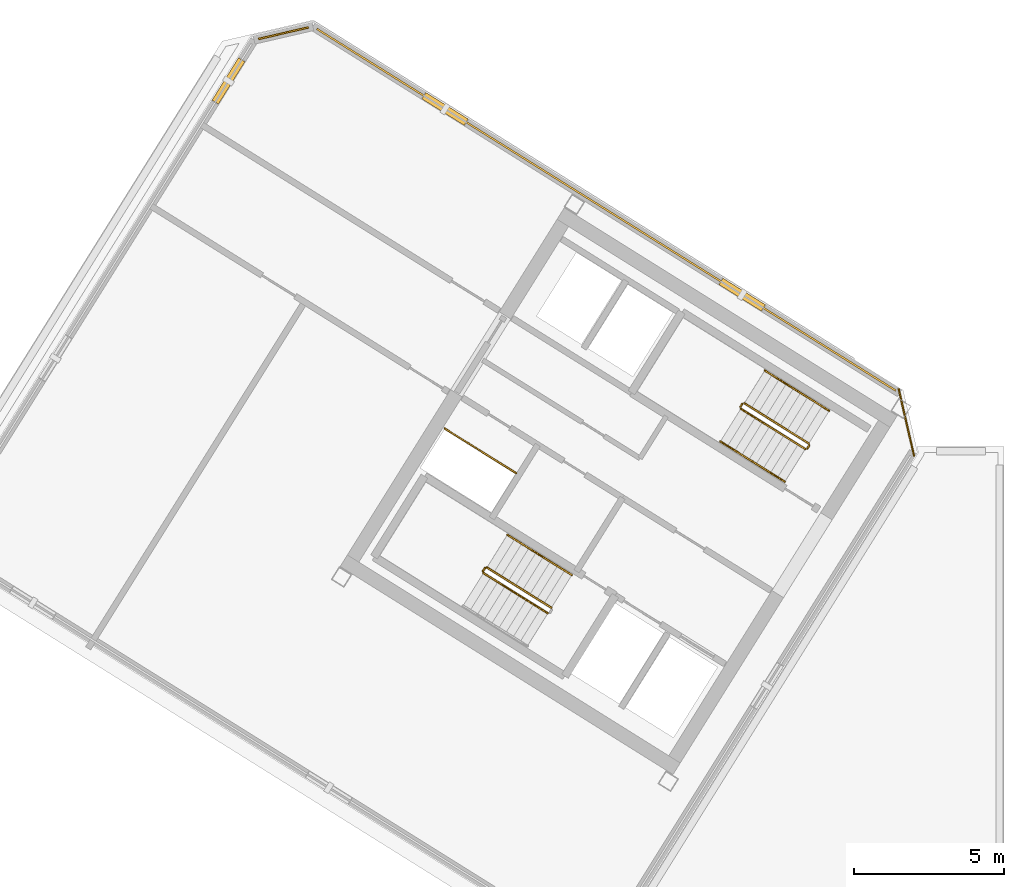
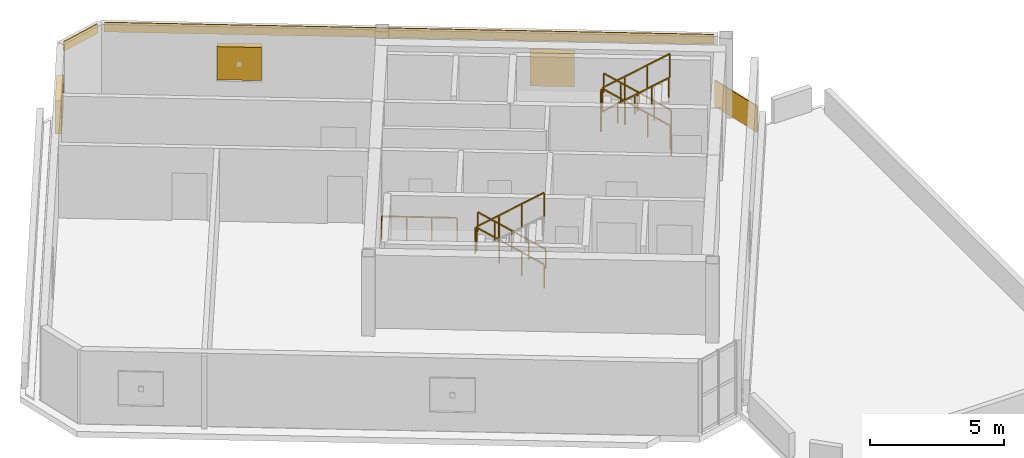
# One storey, part 8 of 8: 14 railings, 3 coverings, 3 shading devices.
"""IFC4 building model written with IfcOpenShell, lengths in metres."""

import ifcopenshell
import ifcopenshell.guid

model = None  # the IFC model being written
_history = None  # IfcOwnerHistory: only IFC2X3 demands one
_inside = {}  # id of a spatial element -> (the spatial element, [elements in it])
_under = {}  # id of a project, library or spatial element -> (it, [spatial elements below it])
_declared = {}  # id of a project -> (the project, [libraries it declares])
_typed = {}  # id of a type object -> (the type object, [elements of that type])
_made_of = {}  # id of a material, layer set ... -> (it, [elements and type objects made of it])


def new_model(schema):
    """Start an empty IFC model of exactly this schema.

    Asked for "IFC4X3", IfcOpenShell would pick the latest addendum, in which some entities
    have other attributes; the version numbers below select the first issue.
    IFC2X3 requires an IfcOwnerHistory on every rooted entity: one is made here for all.
    """
    global model, _history
    if schema == "IFC4X3":
        model = ifcopenshell.file(schema_version=(4, 3, 0, 0))
    else:
        model = ifcopenshell.file(schema=schema)
    _inside.clear()
    _under.clear()
    _declared.clear()
    _typed.clear()
    _made_of.clear()
    _history = None
    if model.schema == "IFC2X3":
        org = make("IfcOrganization", Name="unknown")
        user = make(
            "IfcPersonAndOrganization",
            ThePerson=make("IfcPerson", FamilyName="unknown"),
            TheOrganization=org,
        )
        app = make(
            "IfcApplication",
            ApplicationDeveloper=org,
            Version="unknown",
            ApplicationFullName="unknown",
            ApplicationIdentifier="unknown",
        )
        _history = make(
            "IfcOwnerHistory",
            OwningUser=user,
            OwningApplication=app,
            ChangeAction="ADDED",
            CreationDate=0,
        )
    return model


def make(cls, **values):
    """One entity of the class cls with the attributes given. An attribute that is None is left unset."""
    return model.create_entity(
        cls, **{name: value for name, value in values.items() if value is not None}
    )


def rooted(cls, **values):
    """An entity with a GlobalId (a new one), such as an element, a storey or a relation."""
    return make(cls, GlobalId=ifcopenshell.guid.new(), OwnerHistory=_history, **values)


def si_unit(unit_type, name, prefix=None):
    """IfcSIUnit, for example si_unit("LENGTHUNIT", "METRE", prefix="MILLI")."""
    return make("IfcSIUnit", UnitType=unit_type, Prefix=prefix, Name=name)


def assignment(units):
    """IfcUnitAssignment: the units of a project."""
    return None if units is None else make("IfcUnitAssignment", Units=units)


def point(xyz):
    """IfcCartesianPoint."""
    return None if xyz is None else make("IfcCartesianPoint", Coordinates=xyz)


def direction(xyz):
    """IfcDirection."""
    return None if xyz is None else make("IfcDirection", DirectionRatios=xyz)


def frame(location, z_axis=None, x_axis=None):
    """IfcAxis2Placement3D, a coordinate frame: its origin and axes. An axis left out is left unset."""
    return make(
        "IfcAxis2Placement3D",
        Location=point(location),
        Axis=direction(z_axis),
        RefDirection=direction(x_axis),
    )


def frame_2d(location, x_axis=None):
    """IfcAxis2Placement2D, a coordinate frame in the plane: its origin and x axis."""
    return make(
        "IfcAxis2Placement2D", Location=point(location), RefDirection=direction(x_axis)
    )


def origin():
    """The frame at (0, 0, 0) with its axes left unset."""
    return frame((0.0, 0.0, 0.0))


def origin_2d():
    """The frame at (0, 0) in the plane with its x axis left unset."""
    return frame_2d((0.0, 0.0))


def place(relative_to, where):
    """IfcLocalPlacement: puts the frame where relative to a parent placement (None: the world)."""
    return make(
        "IfcLocalPlacement", PlacementRelTo=relative_to, RelativePlacement=where
    )


def context(
    kind, dimensions, precision=None, world=None, true_north=None, identifier=None
):
    """IfcGeometricRepresentationContext, for example the 3D "Model" context."""
    return make(
        "IfcGeometricRepresentationContext",
        ContextIdentifier=identifier,
        ContextType=kind,
        CoordinateSpaceDimension=dimensions,
        Precision=precision,
        WorldCoordinateSystem=world,
        TrueNorth=true_north,
    )


def subcontext(parent, identifier, kind, view, scale=None):
    """IfcGeometricRepresentationSubContext, for example "Body" below "Model"."""
    return make(
        "IfcGeometricRepresentationSubContext",
        ContextIdentifier=identifier,
        ContextType=kind,
        ParentContext=parent,
        TargetScale=scale,
        TargetView=view,
    )


def project(units=None, contexts=None):
    """IfcProject with its units and contexts."""
    return rooted(
        "IfcProject",
        Name="project",
        RepresentationContexts=contexts,
        UnitsInContext=assignment(units),
    )


def spatial(cls, under=None, at=None, **own):
    """A site, building, storey or space (cls), placed at a placement, below another one or the project."""
    s = rooted(cls, ObjectPlacement=at, **own)
    if under is not None:
        _under.setdefault(under.id(), (under, []))[1].append(s)
    return s


def profile(cls, at=None, kind="AREA", **sizes):
    """A parametric profile (cls). Its sizes go by their IFC names, for example OverallWidth=200.0."""
    return make(cls, ProfileType=kind, Position=at, **sizes)


def rectangle(**sizes):
    """IfcRectangleProfileDef."""
    return profile("IfcRectangleProfileDef", **sizes)


def extrude(swept, where, along, depth):
    """IfcExtrudedAreaSolid: the profile swept, set in the frame where, extruded along a direction by depth."""
    return make(
        "IfcExtrudedAreaSolid",
        SweptArea=swept,
        Position=where,
        ExtrudedDirection=direction(along),
        Depth=depth,
    )


def shape(context_of_items, identifier, shape_type, items):
    """IfcShapeRepresentation: the items that make up one representation, for example the "Body"."""
    return make(
        "IfcShapeRepresentation",
        ContextOfItems=context_of_items,
        RepresentationIdentifier=identifier,
        RepresentationType=shape_type,
        Items=items,
    )


def source(mapping_origin, context_of_items, identifier, shape_type, items):
    """IfcRepresentationMap: a shape defined once, which mapped items show again and again."""
    return make(
        "IfcRepresentationMap",
        MappingOrigin=mapping_origin,
        MappedRepresentation=shape(context_of_items, identifier, shape_type, items),
    )


def transform(
    local_origin,
    x_axis=None,
    y_axis=None,
    z_axis=None,
    scale=None,
    scale2=None,
    scale3=None,
    uniform=True,
):
    """IfcCartesianTransformationOperator3D, or its non-uniform kind. x_axis, y_axis, z_axis: its Axis1, 2, 3."""
    if uniform:
        return make(
            "IfcCartesianTransformationOperator3D",
            Axis1=direction(x_axis),
            Axis2=direction(y_axis),
            LocalOrigin=point(local_origin),
            Scale=scale,
            Axis3=direction(z_axis),
        )
    return make(
        "IfcCartesianTransformationOperator3DnonUniform",
        Axis1=direction(x_axis),
        Axis2=direction(y_axis),
        LocalOrigin=point(local_origin),
        Scale=scale,
        Axis3=direction(z_axis),
        Scale2=scale2,
        Scale3=scale3,
    )


def mapped(mapping_source, mapping_target):
    """IfcMappedItem: shows the shape of a source again, moved by a transform."""
    return make(
        "IfcMappedItem", MappingSource=mapping_source, MappingTarget=mapping_target
    )


def material(Name=None, Category=None):
    """IfcMaterial."""
    return make("IfcMaterial", Name=Name, Category=Category)


def layer(
    of_material, thickness, ventilated=None, Name=None, Category=None, Priority=None
):
    """IfcMaterialLayer: one layer of a wall or slab, of a material (None: an air gap)."""
    return make(
        "IfcMaterialLayer",
        Material=of_material,
        LayerThickness=thickness,
        IsVentilated=ventilated,
        Name=Name,
        Category=Category,
        Priority=Priority,
    )


def layer_set(layers, Name=None):
    """IfcMaterialLayerSet."""
    return make("IfcMaterialLayerSet", MaterialLayers=layers, LayerSetName=Name)


def made_of(thing, what):
    """Note that an element or type object is made of a material, layer set ...; save() writes the relation."""
    if what is not None:
        _made_of.setdefault(what.id(), (what, []))[1].append(thing)
    return thing


def type_object(cls, material=None, **own):
    """A type object (cls), such as IfcWallType, which elements share."""
    return made_of(rooted(cls, **own), material)


def element(
    cls,
    number,
    at=None,
    inside=None,
    cuts=None,
    type_object=None,
    material=None,
    context=None,
    identifier="Body",
    shape_type=None,
    held_by="IfcProductDefinitionShape",
    body=None,
    shapes=None,
    **own,
):
    """One element of the class cls, such as IfcWall. Its Tag is "e" and its number.

    at: its placement. inside: the storey or other place that contains it. cuts: it is an
    opening in that element (IfcRelVoidsElement). A single representation is given by context,
    identifier, shape_type and body (its items); several are given by shapes. held_by: the class
    of the entity that holds the representations. save() writes the other relations.
    """
    e = rooted(cls, Tag="e%d" % number, ObjectPlacement=at, **own)
    if body is not None:
        shapes = [shape(context, identifier, shape_type, body)]
    if shapes is not None:
        e.Representation = make(held_by, Representations=shapes)
    if inside is not None:
        _inside.setdefault(inside.id(), (inside, []))[1].append(e)
    if cuts is not None:
        rooted(
            "IfcRelVoidsElement", RelatingBuildingElement=cuts, RelatedOpeningElement=e
        )
    if type_object is not None:
        _typed.setdefault(type_object.id(), (type_object, []))[1].append(e)
    return made_of(e, material)


def aggregate(whole, parts):
    """IfcRelAggregates: a whole, such as a stair, and the parts it consists of."""
    return rooted("IfcRelAggregates", RelatingObject=whole, RelatedObjects=parts)


def save(model, path):
    """Write the relations noted so far, then the file.

    IfcRelAggregates (storeys below a building ...), IfcRelContainedInSpatialStructure (elements
    in a storey), IfcRelDefinesByType, IfcRelAssociatesMaterial and IfcRelDeclares: one each for
    every whole, place, type object, material and project.
    """
    for whole, parts in _under.values():
        aggregate(whole, parts)
    for where, things in _inside.values():
        rooted(
            "IfcRelContainedInSpatialStructure",
            RelatedElements=things,
            RelatingStructure=where,
        )
    for kind, things in _typed.values():
        rooted("IfcRelDefinesByType", RelatedObjects=things, RelatingType=kind)
    for what, things in _made_of.values():
        rooted("IfcRelAssociatesMaterial", RelatedObjects=things, RelatingMaterial=what)
    for by, libraries in _declared.values():
        rooted("IfcRelDeclares", RelatingContext=by, RelatedDefinitions=libraries)
    model.write(path)


model = new_model("IFC4")

# Units and contexts
model_context = context("Model", 3, precision=1e-05, world=origin(), true_north=direction((0.0, 1.0)))
body_context = subcontext(model_context, "Body", "Model", "MODEL_VIEW")
ifc_project = project(units=[si_unit("LENGTHUNIT", "METRE"), si_unit("AREAUNIT", "SQUARE_METRE"), si_unit("VOLUMEUNIT", "CUBIC_METRE"), si_unit("PLANEANGLEUNIT", "RADIAN"), si_unit("MASSUNIT", "GRAM", prefix="KILO")], contexts=[model_context])

# Site, building, storey
site_placement = place(None, origin())
site = spatial("IfcSite", under=ifc_project, at=site_placement, CompositionType="ELEMENT")
building_placement = place(site_placement, origin())
building = spatial("IfcBuilding", under=site, at=building_placement, Name="Tlacorven Tower", CompositionType="ELEMENT")
storey_placement = place(building_placement, frame((0.0, 0.0, 298.800048828125)))
storey = spatial("IfcBuildingStorey", under=building, at=storey_placement, Name="L76", CompositionType="ELEMENT", Elevation=298.800048828125)

# Railing
ifc_material_1 = material(Name="Aluminium and painted steel balustrade", Category="steel")
railing_type_1 = type_object("IfcRailingType", Name="RL-GRD-1100", PredefinedType="GUARDRAIL", material=ifc_material_1)
shared_shape_1 = source(origin(), body_context, "Body", "SweptSolid", [
    extrude(rectangle(XDim=0.048095703125, YDim=0.048095703125, at=origin_2d()), frame((0.0, 0.0, 1.076171875), z_axis=(-0.848091358275, 0.529850024081, 0.0), x_axis=(-0.529850024081, -0.848091358275, 0.0)), (0.0, 0.0, 1.0), 2.800048828125),
    extrude(rectangle(XDim=0.0419921875, YDim=0.0419921875, at=origin_2d()), origin(), (0.0, 0.0, 1.0), 1.052001953125),
    extrude(rectangle(XDim=0.0419921875, YDim=0.0419921875, at=origin_2d()), frame((-0.79150390625, 0.49462890625, 0.0)), (0.0, 0.0, 1.0), 1.052001953125),
    extrude(rectangle(XDim=0.0419921875, YDim=0.0419921875, at=origin_2d()), frame((-1.583251953125, 0.989013671875, 0.0)), (0.0, 0.0, 1.0), 1.052001953125),
    extrude(rectangle(XDim=0.0419921875, YDim=0.0419921875, at=origin_2d()), frame((-2.374755859375, 1.483642578125, 0.0)), (0.0, 0.0, 1.0), 1.052001953125),
])
railing_1_placement = place(storey_placement, frame((27.9912109375, 22.32080078125, 0.0)))
element("IfcRailing", 1, at=railing_1_placement, inside=storey, type_object=railing_type_1, Name="L76 Electrical Riser W Shaft Guard 1", PredefinedType="GUARDRAIL", context=body_context, shape_type="MappedRepresentation", body=[
    mapped(shared_shape_1, transform((0.0, 0.0, 0.0), scale=1.0)),
])

# Shading devices
ifc_material_2 = material(Name="Anodised bronze aluminium acoustic louvre", Category="aluminium")
shading_device_type = type_object("IfcShadingDeviceType", Name="SH-LVR-WND", PredefinedType="JALOUSIE", material=ifc_material_2)
shared_shape_2 = source(origin(), body_context, "Body", "SweptSolid", [
    extrude(rectangle(XDim=1.659912109375, YDim=0.25, at=origin_2d()), origin(), (0.0, 0.0, 1.0), 1.5),
])
for number, where, z_axis, x_axis, name in (
    (2, (18.43408203125, 35.35107421875, 0.89990234375), (0.0, 0.0, 1.0), (0.5299191837, 0.848048146479, 0.0), "L76 Storm-Resistant Acoustic Louvre Bank 4.2"),
    (3, (25.62841796875, 34.42138671875, 0.89990234375), (0.0, 0.0, 1.0), (0.848048181088, -0.529919128313, 0.0), "L76 Storm-Resistant Acoustic Louvre Bank 6.1"),
    (4, (35.50146484375, 28.252197265625, 0.89990234375), (0.0, 0.0, 1.0), (0.848048181088, -0.529919128313, 0.0), "L76 Storm-Resistant Acoustic Louvre Bank 6.2"),
):
    element("IfcShadingDevice", number, at=place(storey_placement, frame(where, z_axis=z_axis, x_axis=x_axis)), inside=storey, type_object=shading_device_type, Name=name, PredefinedType="JALOUSIE", context=body_context, shape_type="MappedRepresentation", body=[
        mapped(shared_shape_2, transform((0.0, 0.0, 0.0), scale=1.0)),
    ])

# Coverings
ifc_material_3 = material(Name="Precast concrete C45/55", Category="concrete")
ifc_layer = layer(ifc_material_3, 0.06005859375)
ifc_layer_set = layer_set([ifc_layer], Name="Precast concrete C45/55")
covering_type = type_object("IfcCoveringType", Name="CV-CLD-TERC", PredefinedType="CLADDING", material=ifc_layer_set)
shared_shape_3 = source(origin(), body_context, "Body", "SweptSolid", [
    extrude(rectangle(XDim=2.305419921875, YDim=0.050048828125, at=origin_2d()), origin(), (0.0, 0.0, 1.0), 1.199951171875),
])
covering_1_placement = place(storey_placement, frame((40.9560546875, 24.007568359375, -0.02001953125), z_axis=(0.0, 0.0, 1.0), x_axis=(0.22494970827, -0.97437037555, 0.0)))
element("IfcCovering", 5, at=covering_1_placement, inside=storey, type_object=covering_type, Name="L76 Crown Chamfer Spandrel Closure 1", PredefinedType="CLADDING", context=body_context, shape_type="MappedRepresentation", body=[
    mapped(shared_shape_3, transform((0.0, 0.0, 0.0), scale=1.0)),
])
shared_shape_4 = source(origin(), body_context, "Body", "SweptSolid", [
    extrude(rectangle(XDim=22.68408203125, YDim=0.06005859375, at=origin_2d()), origin(), (0.0, 0.0, 1.0), 0.419921875),
])
covering_2_placement = place(storey_placement, frame((30.98486328125, 31.074462890625, 2.89990234375), z_axis=(0.0, 0.0, 1.0), x_axis=(0.848048181088, -0.529919128313, 0.0)))
element("IfcCovering", 6, at=covering_2_placement, inside=storey, type_object=covering_type, Name="L76 Masonry-Frame Spandrel Cladding 6", PredefinedType="CLADDING", context=body_context, shape_type="MappedRepresentation", body=[
    mapped(shared_shape_4, transform((0.0, 0.0, 0.0), scale=1.0)),
])
shared_shape_5 = source(origin(), body_context, "Body", "SweptSolid", [
    extrude(rectangle(XDim=1.705322265625, YDim=0.06005859375, at=origin_2d()), origin(), (0.0, 0.0, 1.0), 0.419921875),
])
covering_3_placement = place(storey_placement, frame((20.261962890625, 36.938720703125, 2.89990234375), z_axis=(0.0, 0.0, 1.0), x_axis=(0.97437037555, 0.22494970827, 0.0)))
element("IfcCovering", 7, at=covering_3_placement, inside=storey, type_object=covering_type, Name="L76 Masonry-Frame Spandrel Cladding 5", PredefinedType="CLADDING", context=body_context, shape_type="MappedRepresentation", body=[
    mapped(shared_shape_5, transform((0.0, 0.0, 0.0), scale=1.0)),
])

# Railings
shared_shape_6 = source(origin(), body_context, "Body", "SweptSolid", [
    extrude(rectangle(XDim=0.048095703125, YDim=0.048095703125, at=origin_2d()), frame((0.0, 0.0, 1.076171875), z_axis=(-0.713319727316, 0.445773895627, 0.540796265334), x_axis=(-0.529955395941, -0.84802551749, 0.0)), (0.0, 0.0, 1.0), 2.995849609375),
    extrude(rectangle(XDim=0.0419921875, YDim=0.0419921875, at=origin_2d()), origin(), (0.0, 0.0, 1.0), 1.052001953125),
    extrude(rectangle(XDim=0.0419921875, YDim=0.0419921875, at=origin_2d()), frame((-0.71240234375, 0.445068359375, 0.5400390625)), (0.0, 0.0, 1.0), 1.052001953125),
    extrude(rectangle(XDim=0.0419921875, YDim=0.0419921875, at=origin_2d()), frame((-1.424560546875, 0.890380859375, 1.080078125)), (0.0, 0.0, 1.0), 1.052001953125),
    extrude(rectangle(XDim=0.0419921875, YDim=0.0419921875, at=origin_2d()), frame((-2.136962890625, 1.33544921875, 1.6201171875)), (0.0, 0.0, 1.0), 1.052001953125),
])
for number, where, name in (
    (8, (29.16064453125, 17.851806640625, 0.179931640625), "L76 ST-W1 stair guard 1"),
    (9, (37.712158203125, 23.3095703125, 0.179931640625), "L76 ST-W2 stair guard 1"),
):
    element("IfcRailing", number, at=place(storey_placement, frame(where)), inside=storey, type_object=railing_type_1, Name=name, PredefinedType="GUARDRAIL", context=body_context, shape_type="MappedRepresentation", body=[
        mapped(shared_shape_6, transform((0.0, 0.0, 0.0), scale=1.0)),
    ])
shared_shape_7 = source(origin(), body_context, "Body", "SweptSolid", [
    extrude(rectangle(XDim=0.048095703125, YDim=0.048095703125, at=origin_2d()), frame((0.0, 0.0, 1.076171875), z_axis=(-0.530546985787, -0.847655529016, 0.0), x_axis=(0.847655529016, -0.530546985787, 0.0)), (0.0, 0.0, 1.0), 0.1201171875),
    extrude(rectangle(XDim=0.0419921875, YDim=0.0419921875, at=origin_2d()), origin(), (0.0, 0.0, 1.0), 1.052001953125),
    extrude(rectangle(XDim=0.0419921875, YDim=0.0419921875, at=origin_2d()), frame((-0.063720703125, -0.101806640625, 0.0)), (0.0, 0.0, 1.0), 1.052001953125),
])
for number, where, name in (
    (10, (26.954833984375, 19.17138671875, 1.800048828125), "L76 ST-W1 stair guard 2"),
    (11, (37.728271484375, 23.24072265625, 0.0), "L76 ST-W2 stair guard 4"),
):
    element("IfcRailing", number, at=place(storey_placement, frame(where)), inside=storey, type_object=railing_type_1, Name=name, PredefinedType="GUARDRAIL", context=body_context, shape_type="MappedRepresentation", body=[
        mapped(shared_shape_7, transform((0.0, 0.0, 0.0), scale=1.0)),
    ])
railing_type_2 = type_object("IfcRailingType", Name="RL-HND-0900", PredefinedType="HANDRAIL", material=ifc_material_1)
shared_shape_8 = source(origin(), body_context, "Body", "SweptSolid", [
    extrude(rectangle(XDim=0.048095703125, YDim=0.048095703125, at=origin_2d()), frame((0.0, 0.0, 0.8759765625), z_axis=(-0.713359751793, 0.4457479829, 0.540764828981), x_axis=(-0.529911857636, -0.848052724267, 0.0)), (0.0, 0.0, 1.0), 1.498046875),
    extrude(rectangle(XDim=0.0419921875, YDim=0.0419921875, at=origin_2d()), origin(), (0.0, 0.0, 1.0), 0.851806640625),
    extrude(rectangle(XDim=0.0419921875, YDim=0.0419921875, at=origin_2d()), frame((-0.5341796875, 0.333984375, 0.405029296875)), (0.0, 0.0, 1.0), 0.851806640625),
    extrude(rectangle(XDim=0.0419921875, YDim=0.0419921875, at=origin_2d()), frame((-1.068603515625, 0.667724609375, 0.81005859375)), (0.0, 0.0, 1.0), 0.851806640625),
])
for number, where, name in (
    (12, (29.839111328125, 18.937255859375, 0.179931640625), "L76 ST-W1 stair handrail 1"),
    (13, (28.7705078125, 19.60498046875, 0.989990234375), "L76 ST-W1 stair handrail 2"),
    (14, (38.390625, 24.39501953125, 0.179931640625), "L76 ST-W2 stair handrail 1"),
    (15, (37.322021484375, 25.062744140625, 0.989990234375), "L76 ST-W2 stair handrail 2"),
):
    element("IfcRailing", number, at=place(storey_placement, frame(where)), inside=storey, type_object=railing_type_2, Name=name, PredefinedType="HANDRAIL", context=body_context, shape_type="MappedRepresentation", body=[
        mapped(shared_shape_8, transform((0.0, 0.0, 0.0), scale=1.0)),
    ])
shared_shape_9 = source(origin(), body_context, "Body", "SweptSolid", [
    extrude(rectangle(XDim=0.048095703125, YDim=0.048095703125, at=origin_2d()), frame((0.0, 0.0, 0.8759765625), z_axis=(0.713359751793, -0.4457479829, 0.540764828981), x_axis=(0.529911857636, 0.848052724267, 0.0)), (0.0, 0.0, 1.0), 1.498046875),
    extrude(rectangle(XDim=0.0419921875, YDim=0.0419921875, at=origin_2d()), origin(), (0.0, 0.0, 1.0), 0.851806640625),
    extrude(rectangle(XDim=0.0419921875, YDim=0.0419921875, at=origin_2d()), frame((0.5341796875, -0.333984375, 0.405029296875)), (0.0, 0.0, 1.0), 0.851806640625),
    extrude(rectangle(XDim=0.0419921875, YDim=0.0419921875, at=origin_2d()), frame((1.068603515625, -0.667724609375, 0.81005859375)), (0.0, 0.0, 1.0), 0.851806640625),
])
railing_2_placement = place(storey_placement, frame((34.7802734375, 23.372802734375, 1.97998046875)))
element("IfcRailing", 16, at=railing_2_placement, inside=storey, type_object=railing_type_2, Name="L76 ST-W2 stair handrail 3", PredefinedType="HANDRAIL", context=body_context, shape_type="MappedRepresentation", body=[
    mapped(shared_shape_9, transform((0.0, 0.0, 0.0), scale=1.0)),
])
shared_shape_10 = source(origin(), body_context, "Body", "SweptSolid", [
    extrude(rectangle(XDim=0.048095703125, YDim=0.048095703125, at=origin_2d()), frame((0.0, 0.0, 1.076171875), z_axis=(0.71339118691, -0.44576762536, 0.540707165313), x_axis=(0.529911857636, 0.848052724267, 0.0)), (0.0, 0.0, 1.0), 2.995849609375),
    extrude(rectangle(XDim=0.0419921875, YDim=0.0419921875, at=origin_2d()), origin(), (0.0, 0.0, 1.0), 1.052001953125),
    extrude(rectangle(XDim=0.0419921875, YDim=0.0419921875, at=origin_2d()), frame((0.71240234375, -0.445068359375, 0.5400390625)), (0.0, 0.0, 1.0), 1.052001953125),
    extrude(rectangle(XDim=0.0419921875, YDim=0.0419921875, at=origin_2d()), frame((1.4248046875, -0.890380859375, 1.079833984375)), (0.0, 0.0, 1.0), 1.052001953125),
    extrude(rectangle(XDim=0.0419921875, YDim=0.0419921875, at=origin_2d()), frame((2.13720703125, -1.33544921875, 1.619873046875)), (0.0, 0.0, 1.0), 1.052001953125),
])
railing_3_placement = place(storey_placement, frame((26.906982421875, 19.000732421875, 1.97998046875)))
element("IfcRailing", 17, at=railing_3_placement, inside=storey, type_object=railing_type_1, Name="L76 ST-W1 stair guard 3", PredefinedType="GUARDRAIL", context=body_context, shape_type="MappedRepresentation", body=[
    mapped(shared_shape_10, transform((0.0, 0.0, 0.0), scale=1.0)),
])
shared_shape_11 = source(origin(), body_context, "Body", "SweptSolid", [
    extrude(rectangle(XDim=0.048095703125, YDim=0.048095703125, at=origin_2d()), frame((0.0, 0.0, 0.8759765625), z_axis=(0.713422621445, -0.445787267455, 0.540649494022), x_axis=(0.529911857636, 0.848052724267, 0.0)), (0.0, 0.0, 1.0), 1.497802734375),
    extrude(rectangle(XDim=0.0419921875, YDim=0.0419921875, at=origin_2d()), origin(), (0.0, 0.0, 1.0), 0.851806640625),
    extrude(rectangle(XDim=0.0419921875, YDim=0.0419921875, at=origin_2d()), frame((0.5341796875, -0.333984375, 0.40478515625)), (0.0, 0.0, 1.0), 0.851806640625),
    extrude(rectangle(XDim=0.0419921875, YDim=0.0419921875, at=origin_2d()), frame((1.068603515625, -0.667724609375, 0.809814453125)), (0.0, 0.0, 1.0), 0.851806640625),
])
railing_4_placement = place(storey_placement, frame((35.848876953125, 22.705078125, 2.7900390625)))
element("IfcRailing", 18, at=railing_4_placement, inside=storey, type_object=railing_type_2, Name="L76 ST-W2 stair handrail 4", PredefinedType="HANDRAIL", context=body_context, shape_type="MappedRepresentation", body=[
    mapped(shared_shape_11, transform((0.0, 0.0, 0.0), scale=1.0)),
])
shared_shape_12 = source(origin(), body_context, "Body", "SweptSolid", [
    extrude(rectangle(XDim=0.048095703125, YDim=0.048095703125, at=origin_2d()), frame((0.0, 0.0, 1.076171875), z_axis=(-0.531462422766, -0.847081869236, 0.0), x_axis=(0.847081869236, -0.531462422766, 0.0)), (0.0, 0.0, 1.0), 0.119873046875),
    extrude(rectangle(XDim=0.0419921875, YDim=0.0419921875, at=origin_2d()), origin(), (0.0, 0.0, 1.0), 1.052001953125),
    extrude(rectangle(XDim=0.0419921875, YDim=0.0419921875, at=origin_2d()), frame((-0.063720703125, -0.1015625, 0.0)), (0.0, 0.0, 1.0), 1.052001953125),
])
railing_5_placement = place(storey_placement, frame((35.50634765625, 24.62890625, 1.800048828125)))
element("IfcRailing", 19, at=railing_5_placement, inside=storey, type_object=railing_type_1, Name="L76 ST-W2 stair guard 2", PredefinedType="GUARDRAIL", context=body_context, shape_type="MappedRepresentation", body=[
    mapped(shared_shape_12, transform((0.0, 0.0, 0.0), scale=1.0)),
])
shared_shape_13 = source(origin(), body_context, "Body", "SweptSolid", [
    extrude(rectangle(XDim=0.048095703125, YDim=0.048095703125, at=origin_2d()), frame((0.0, 0.0, 1.076171875), z_axis=(0.713417101326, -0.445702322042, 0.540726806865), x_axis=(0.52984217967, 0.848096259066, 0.0)), (0.0, 0.0, 1.0), 2.995849609375),
    extrude(rectangle(XDim=0.0419921875, YDim=0.0419921875, at=origin_2d()), origin(), (0.0, 0.0, 1.0), 1.052001953125),
    extrude(rectangle(XDim=0.0419921875, YDim=0.0419921875, at=origin_2d()), frame((0.71240234375, -0.445068359375, 0.5400390625)), (0.0, 0.0, 1.0), 1.052001953125),
    extrude(rectangle(XDim=0.0419921875, YDim=0.0419921875, at=origin_2d()), frame((1.4248046875, -0.89013671875, 1.079833984375)), (0.0, 0.0, 1.0), 1.052001953125),
    extrude(rectangle(XDim=0.0419921875, YDim=0.0419921875, at=origin_2d()), frame((2.13720703125, -1.335205078125, 1.619873046875)), (0.0, 0.0, 1.0), 1.052001953125),
])
railing_6_placement = place(storey_placement, frame((35.45849609375, 24.458251953125, 1.97998046875)))
element("IfcRailing", 20, at=railing_6_placement, inside=storey, type_object=railing_type_1, Name="L76 ST-W2 stair guard 3", PredefinedType="GUARDRAIL", context=body_context, shape_type="MappedRepresentation", body=[
    mapped(shared_shape_13, transform((0.0, 0.0, 0.0), scale=1.0)),
])

save(model, "model.ifc")
